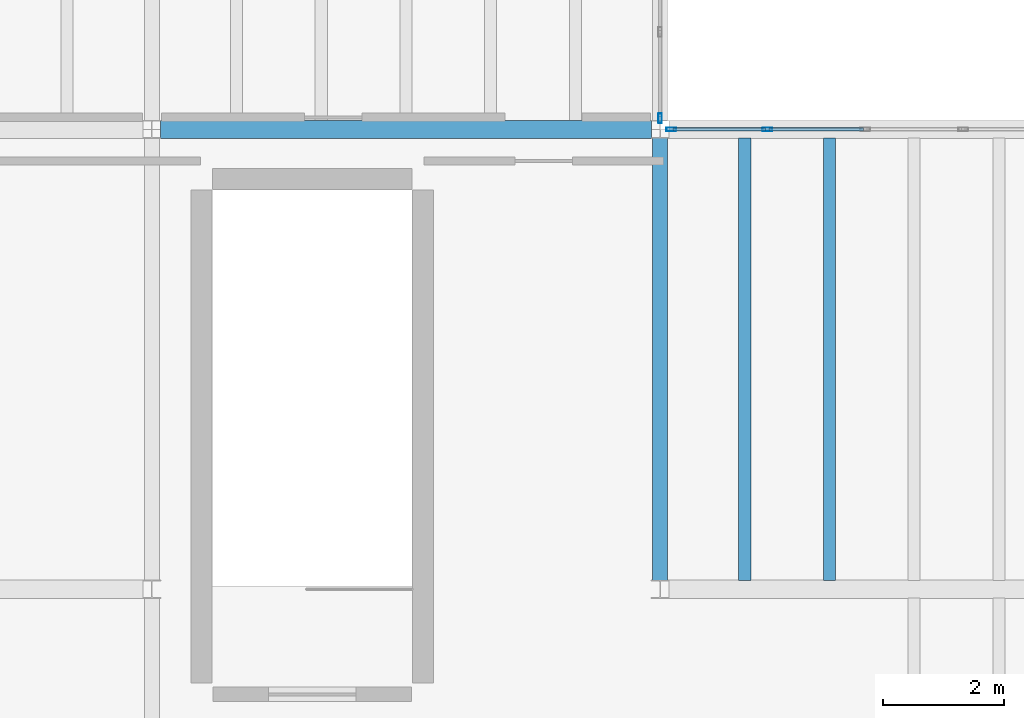
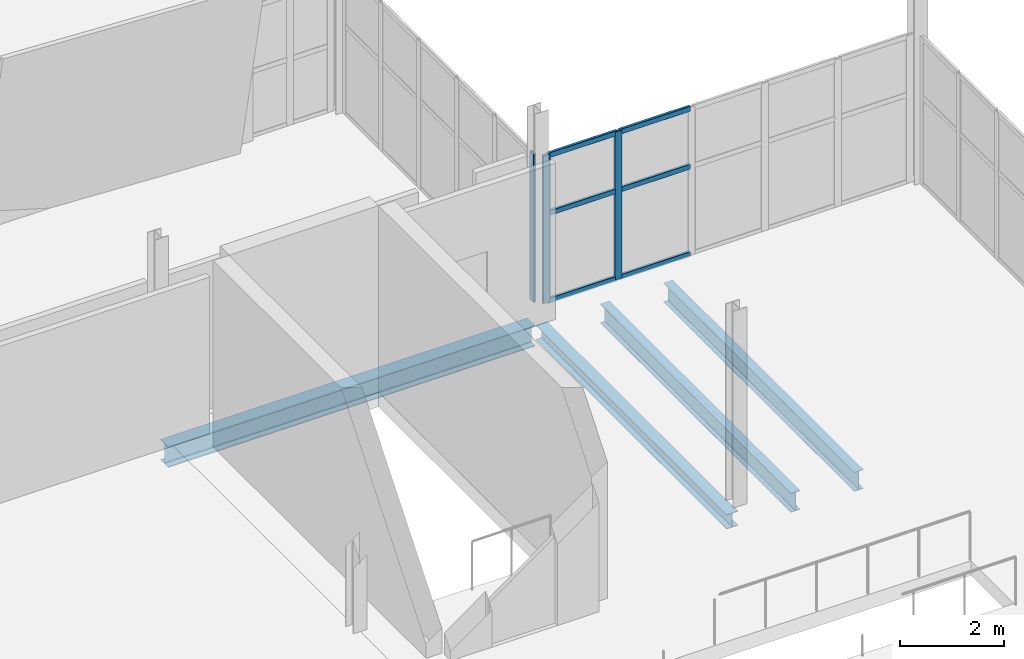
# One storey, part 20 of 136: 9 members, 4 beams, 2 elements without a shape of their own.
"""IFC4 building model written with IfcOpenShell, lengths in metres."""

from ifc_helpers import new_model, si_unit, direction, frame, origin, origin_2d, place, context, subcontext, project, spatial, hollow_rectangle, i_section, extrude, material, material_profile, profile_set, type_object, element, aggregate, save


model = new_model("IFC4")

# Units and contexts
model_context = context("Model", 3, precision=1e-05, world=origin(), true_north=direction((0.0, 1.0)))
body_context = subcontext(model_context, "Body", "Model", "MODEL_VIEW")
ifc_project = project(units=[si_unit("LENGTHUNIT", "METRE"), si_unit("AREAUNIT", "SQUARE_METRE"), si_unit("VOLUMEUNIT", "CUBIC_METRE"), si_unit("PLANEANGLEUNIT", "RADIAN"), si_unit("MASSUNIT", "GRAM", prefix="KILO")], contexts=[model_context])

# Site, building, storey
site_placement = place(None, origin())
site = spatial("IfcSite", under=ifc_project, at=site_placement, CompositionType="ELEMENT")
building_placement = place(site_placement, origin())
building = spatial("IfcBuilding", under=site, at=building_placement, Name="Shengluoqiao Park Theatre", CompositionType="ELEMENT")
storey_placement = place(building_placement, frame((0.0, 0.0, 10.0)))
storey = spatial("IfcBuildingStorey", under=building, at=storey_placement, Name="L02", CompositionType="ELEMENT", Elevation=10.0)

# Curtain wall, members
ifc_material_1 = material(Name="Aluminium 6063-T6", Category="aluminium")
curtain_wall_type = type_object("IfcCurtainWallType", Name="ENV-CW-COURT", PredefinedType="NOTDEFINED", material=ifc_material_1)
curtain_wall_1_placement = place(storey_placement, origin())
curtain_wall_1 = element("IfcCurtainWall", 1, at=curtain_wall_1_placement, inside=storey, type_object=curtain_wall_type, Name="L02 Curtain Wall CWX-L02-0164", PredefinedType="NOTDEFINED")
ifc_material_profile_1 = material_profile(ifc_material_1, hollow_rectangle(XDim=0.06005859375, YDim=0.159912109375, WallThickness=0.00390625, InnerFilletRadius=0.00390625, OuterFilletRadius=0.008056640625, at=origin_2d()), Name="ALU MULLION 160x60x4")
ifc_profile_set_1 = profile_set([ifc_material_profile_1], Name="Aluminium 6063-T6")
member_type_1 = type_object("IfcMemberType", Name="ENV-MUL-160", PredefinedType="MULLION", material=ifc_profile_set_1)
member_1_placement = place(storey_placement, frame((36.18408203125, 22.800048828125, 0.0), z_axis=(0.0, 0.0, 1.0), x_axis=(0.0, 1.0, 0.0)))
member_1 = element("IfcMember", 2, at=member_1_placement, type_object=member_type_1, Name="CW-05 mullion 1", PredefinedType="MULLION", context=body_context, shape_type="SweptSolid", body=[
    extrude(hollow_rectangle(XDim=0.06005859375, YDim=0.159912109375, WallThickness=0.00390625, InnerFilletRadius=0.00390625, OuterFilletRadius=0.008056640625, at=origin_2d()), origin(), (0.0, 0.0, 1.0), 3.4580078125),
])
member_2_placement = place(storey_placement, frame((37.7724609375, 22.800048828125, 0.0), z_axis=(0.0, 0.0, 1.0), x_axis=(0.0, 1.0, 0.0)))
member_2 = element("IfcMember", 3, at=member_2_placement, type_object=member_type_1, Name="CW-05 mullion 2", PredefinedType="MULLION", context=body_context, shape_type="SweptSolid", body=[
    extrude(hollow_rectangle(XDim=0.06005859375, YDim=0.159912109375, WallThickness=0.00390625, InnerFilletRadius=0.00390625, OuterFilletRadius=0.008056640625, at=origin_2d()), origin(), (0.0, 0.0, 1.0), 3.4580078125),
])

# Curtain wall, member
curtain_wall_2_placement = place(storey_placement, origin())
curtain_wall_2 = element("IfcCurtainWall", 4, at=curtain_wall_2_placement, inside=storey, type_object=curtain_wall_type, Name="L02 Curtain Wall CWX-L02-0166", PredefinedType="NOTDEFINED")
member_3_placement = place(storey_placement, frame((36.0, 22.98388671875, 0.0), z_axis=(0.0, 0.0, 1.0), x_axis=(-1.0, 0.0, 0.0)))
member_3 = element("IfcMember", 5, at=member_3_placement, type_object=member_type_1, Name="CW-05 mullion 1", PredefinedType="MULLION", context=body_context, shape_type="SweptSolid", body=[
    extrude(hollow_rectangle(XDim=0.06005859375, YDim=0.159912109375, WallThickness=0.00390625, InnerFilletRadius=0.00390625, OuterFilletRadius=0.008056640625, at=origin_2d()), origin(), (0.0, 0.0, 1.0), 3.4580078125),
])
aggregate(curtain_wall_2, [member_3])

# Member
ifc_material_profile_2 = material_profile(ifc_material_1, hollow_rectangle(XDim=0.06005859375, YDim=0.1201171875, WallThickness=0.00390625, InnerFilletRadius=0.00390625, OuterFilletRadius=0.008056640625, at=origin_2d()), Name="ALU TRANSOM 120x60x4")
ifc_profile_set_2 = profile_set([ifc_material_profile_2], Name="Aluminium 6063-T6")
member_type_2 = type_object("IfcMemberType", Name="ENV-TRN-120", PredefinedType="USERDEFINED", material=ifc_profile_set_2)
member_4_placement = place(storey_placement, frame((36.214111328125, 22.800048828125, 0.030029296875), z_axis=(1.0, 0.0, 0.0), x_axis=(0.0, 1.0, 0.0)))
member_4 = element("IfcMember", 6, at=member_4_placement, type_object=member_type_2, Name="CW-05 transom 1.1", ObjectType="TRANSOM", PredefinedType="USERDEFINED", context=body_context, shape_type="SweptSolid", body=[
    extrude(hollow_rectangle(XDim=0.06005859375, YDim=0.1201171875, WallThickness=0.00390625, InnerFilletRadius=0.00390625, OuterFilletRadius=0.008056640625, at=origin_2d()), origin(), (0.0, 0.0, 1.0), 1.5283203125),
])

member_5_placement = place(storey_placement, frame((36.214111328125, 22.800048828125, 2.074951171875), z_axis=(1.0, 0.0, 0.0), x_axis=(0.0, 1.0, 0.0)))
member_5 = element("IfcMember", 7, at=member_5_placement, type_object=member_type_2, Name="CW-05 transom 1.2", ObjectType="TRANSOM", PredefinedType="USERDEFINED", context=body_context, shape_type="SweptSolid", body=[
    extrude(hollow_rectangle(XDim=0.06005859375, YDim=0.1201171875, WallThickness=0.00390625, InnerFilletRadius=0.00390625, OuterFilletRadius=0.008056640625, at=origin_2d()), origin(), (0.0, 0.0, 1.0), 1.5283203125),
])

member_6_placement = place(storey_placement, frame((36.214111328125, 22.800048828125, 3.427978515625), z_axis=(1.0, 0.0, 0.0), x_axis=(0.0, 1.0, 0.0)))
member_6 = element("IfcMember", 8, at=member_6_placement, type_object=member_type_2, Name="CW-05 transom 1.3", ObjectType="TRANSOM", PredefinedType="USERDEFINED", context=body_context, shape_type="SweptSolid", body=[
    extrude(hollow_rectangle(XDim=0.06005859375, YDim=0.1201171875, WallThickness=0.00390625, InnerFilletRadius=0.00390625, OuterFilletRadius=0.008056640625, at=origin_2d()), origin(), (0.0, 0.0, 1.0), 1.5283203125),
])

member_7_placement = place(storey_placement, frame((37.802490234375, 22.800048828125, 0.030029296875), z_axis=(1.0, 0.0, 0.0), x_axis=(0.0, 1.0, 0.0)))
member_7 = element("IfcMember", 9, at=member_7_placement, type_object=member_type_2, Name="CW-05 transom 2.1", ObjectType="TRANSOM", PredefinedType="USERDEFINED", context=body_context, shape_type="SweptSolid", body=[
    extrude(hollow_rectangle(XDim=0.06005859375, YDim=0.1201171875, WallThickness=0.00390625, InnerFilletRadius=0.00390625, OuterFilletRadius=0.008056640625, at=origin_2d()), origin(), (0.0, 0.0, 1.0), 1.558349609375),
])

member_8_placement = place(storey_placement, frame((37.802490234375, 22.800048828125, 2.074951171875), z_axis=(1.0, 0.0, 0.0), x_axis=(0.0, 1.0, 0.0)))
member_8 = element("IfcMember", 10, at=member_8_placement, type_object=member_type_2, Name="CW-05 transom 2.2", ObjectType="TRANSOM", PredefinedType="USERDEFINED", context=body_context, shape_type="SweptSolid", body=[
    extrude(hollow_rectangle(XDim=0.06005859375, YDim=0.1201171875, WallThickness=0.00390625, InnerFilletRadius=0.00390625, OuterFilletRadius=0.008056640625, at=origin_2d()), origin(), (0.0, 0.0, 1.0), 1.558349609375),
])

member_9_placement = place(storey_placement, frame((37.802490234375, 22.800048828125, 3.427978515625), z_axis=(1.0, 0.0, 0.0), x_axis=(0.0, 1.0, 0.0)))
member_9 = element("IfcMember", 11, at=member_9_placement, type_object=member_type_2, Name="CW-05 transom 2.3", ObjectType="TRANSOM", PredefinedType="USERDEFINED", context=body_context, shape_type="SweptSolid", body=[
    extrude(hollow_rectangle(XDim=0.06005859375, YDim=0.1201171875, WallThickness=0.00390625, InnerFilletRadius=0.00390625, OuterFilletRadius=0.008056640625, at=origin_2d()), origin(), (0.0, 0.0, 1.0), 1.558349609375),
])

aggregate(curtain_wall_1, [member_1, member_2, member_4, member_5, member_6, member_7, member_8, member_9])

# Beams
ifc_material_2 = material(Name="Steel Q355", Category="steel")
ifc_material_profile_3 = material_profile(ifc_material_2, i_section(OverallWidth=0.25, OverallDepth=0.340087890625, WebThickness=0.009033203125, FlangeThickness=0.013916015625, FilletRadius=0.01611328125, at=origin_2d()), Name="HM 340x250x9x14")
ifc_profile_set_3 = profile_set([ifc_material_profile_3], Name="Steel Q355")
beam_type_1 = type_object("IfcBeamType", Name="STR-BM-G-HM340", PredefinedType="BEAM", material=ifc_profile_set_3)
beam_1_placement = place(storey_placement, frame((36.0, 15.343994140625, -0.510009765625), z_axis=(0.0, 1.0, 0.0), x_axis=(-1.0, 0.0, 0.0)))
element("IfcBeam", 12, at=beam_1_placement, inside=storey, type_object=beam_type_1, Name="L02 Transverse Girder 00912", PredefinedType="BEAM", context=body_context, shape_type="SweptSolid", body=[
    extrude(i_section(OverallWidth=0.25, OverallDepth=0.340087890625, WebThickness=0.009033203125, FlangeThickness=0.013916015625, FilletRadius=0.01611328125, at=origin_2d()), origin(), (0.0, 0.0, 1.0), 7.31201171875),
])
ifc_material_profile_4 = material_profile(ifc_material_2, i_section(OverallWidth=0.300048828125, OverallDepth=0.48193359375, WebThickness=0.010986328125, FlangeThickness=0.014892578125, FilletRadius=0.02197265625, at=origin_2d()), Name="HM 482x300x11x15")
ifc_profile_set_4 = profile_set([ifc_material_profile_4], Name="Steel Q355")
beam_type_2 = type_object("IfcBeamType", Name="STR-BM-G-HM482", PredefinedType="BEAM", material=ifc_profile_set_4)
beam_2_placement = place(storey_placement, frame((27.743896484375, 22.800048828125, -0.5810546875), z_axis=(1.0, 0.0, 0.0), x_axis=(0.0, 1.0, 0.0)))
element("IfcBeam", 13, at=beam_2_placement, inside=storey, type_object=beam_type_2, Name="L02 Primary Girder 00909", PredefinedType="BEAM", context=body_context, shape_type="SweptSolid", body=[
    extrude(i_section(OverallWidth=0.300048828125, OverallDepth=0.48193359375, WebThickness=0.010986328125, FlangeThickness=0.014892578125, FilletRadius=0.02197265625, at=origin_2d()), origin(), (0.0, 0.0, 1.0), 8.112060546875),
])
ifc_material_profile_5 = material_profile(ifc_material_2, i_section(OverallWidth=0.199951171875, OverallDepth=0.449951171875, WebThickness=0.009033203125, FlangeThickness=0.013916015625, FilletRadius=0.01611328125, at=origin_2d()), Name="HN 450x200x9x14")
ifc_profile_set_5 = profile_set([ifc_material_profile_5], Name="Steel Q355")
beam_type_3 = type_object("IfcBeamType", Name="STR-BM-J-HN450", PredefinedType="JOIST", material=ifc_profile_set_5)
for number, where, z_axis, x_axis, name in (
    (14, (37.39990234375, 15.344970703125, -0.56494140625), (0.0, 1.0, 0.0), (-1.0, 0.0, 0.0), "L02 Composite Joist 00927"),
    (15, (38.800048828125, 15.344970703125, -0.56494140625), (0.0, 1.0, 0.0), (-1.0, 0.0, 0.0), "L02 Composite Joist 00928"),
):
    element("IfcBeam", number, at=place(storey_placement, frame(where, z_axis=z_axis, x_axis=x_axis)), inside=storey, type_object=beam_type_3, Name=name, PredefinedType="JOIST", context=body_context, shape_type="SweptSolid", body=[
        extrude(i_section(OverallWidth=0.199951171875, OverallDepth=0.449951171875, WebThickness=0.009033203125, FlangeThickness=0.013916015625, FilletRadius=0.01611328125, at=origin_2d()), origin(), (0.0, 0.0, 1.0), 7.31005859375),
    ])

save(model, "model.ifc")
